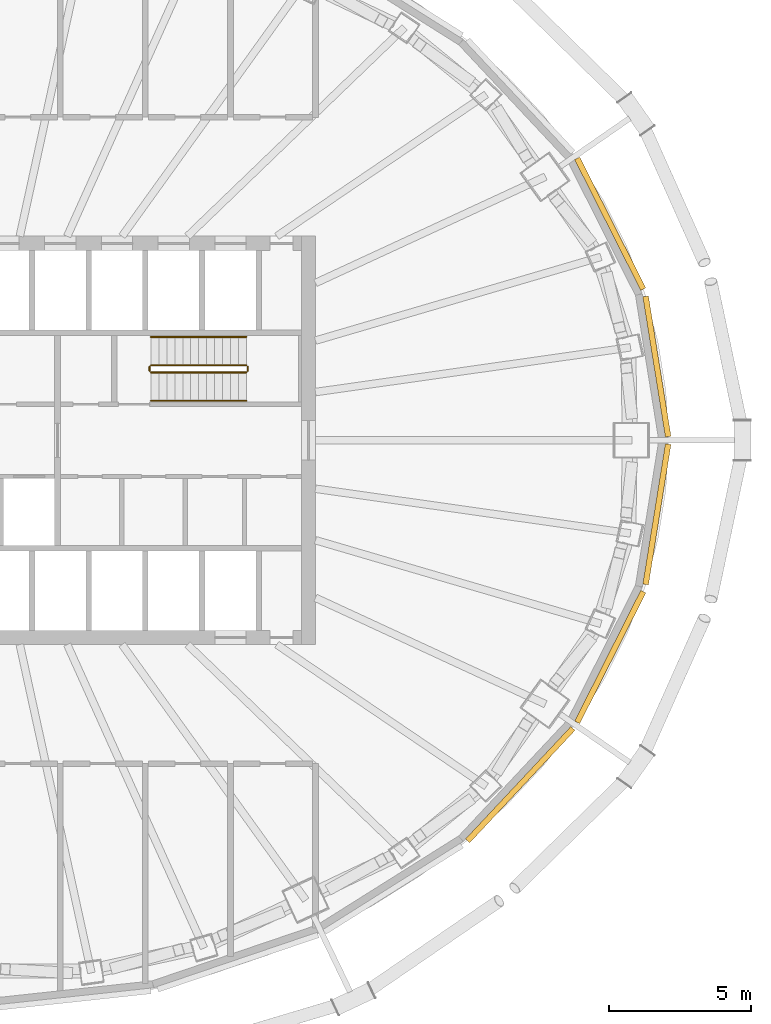
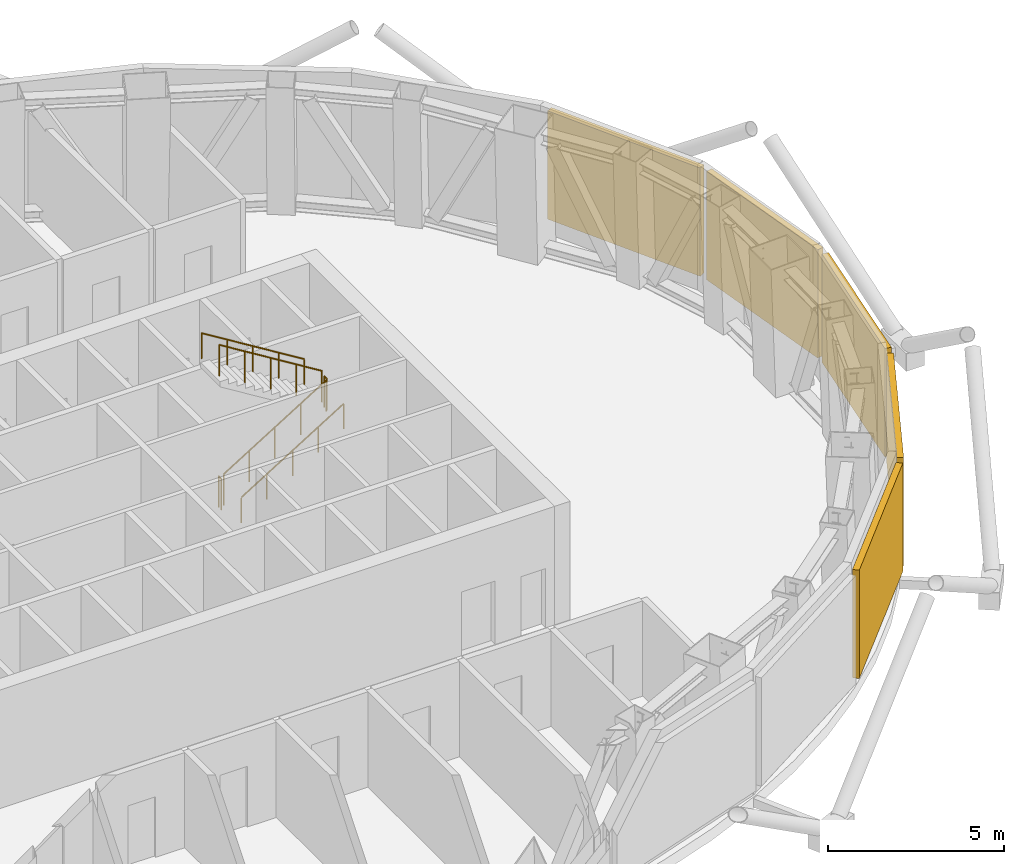
# One storey, part 15 of 16: 6 railings, 5 shading devices.
"""IFC4 building model written with IfcOpenShell, lengths in metres."""

from ifc_helpers import new_model, si_unit, direction, frame, origin, origin_2d, place, context, subcontext, project, spatial, rectangle, circle, extrude, material, layer, layer_set, type_object, element, save


model = new_model("IFC4")

# Units and contexts
model_context = context("Model", 3, precision=1e-05, world=origin(), true_north=direction((0.0, 1.0)))
body_context = subcontext(model_context, "Body", "Model", "MODEL_VIEW")
ifc_project = project(units=[si_unit("LENGTHUNIT", "METRE"), si_unit("AREAUNIT", "SQUARE_METRE"), si_unit("VOLUMEUNIT", "CUBIC_METRE"), si_unit("PLANEANGLEUNIT", "RADIAN"), si_unit("MASSUNIT", "GRAM", prefix="KILO")], contexts=[model_context])

# Site, building, storey
site_placement = place(None, origin())
site = spatial("IfcSite", under=ifc_project, at=site_placement, CompositionType="ELEMENT")
building_placement = place(site_placement, origin())
building = spatial("IfcBuilding", under=site, at=building_placement, Name="Siaravel Broadcast Tower", CompositionType="ELEMENT")
storey_placement = place(building_placement, frame((0.0, 0.0, 152.60009765625)))
storey = spatial("IfcBuildingStorey", under=building, at=storey_placement, Name="L36", CompositionType="ELEMENT", Elevation=152.60009765625)

# Shading devices
ifc_material_1 = material(Name="Bronze anodised aluminium", Category="aluminium")
ifc_layer = layer(ifc_material_1, 0.199951171875)
ifc_layer_set = layer_set([ifc_layer], Name="Bronze anodised aluminium")
shading_device_type = type_object("IfcShadingDeviceType", Name="Plant louvre bank", PredefinedType="USERDEFINED", material=ifc_layer_set)
shading_device_1_placement = place(storey_placement, frame((24.039794921875, 2.606689453125, 0.2998046875), z_axis=(0.0, 0.0, 1.0), x_axis=(-0.158685394, 0.987329198, 0.0)))
element("IfcShadingDevice", 1, at=shading_device_1_placement, inside=storey, type_object=shading_device_type, Name="L36 plant louvre bank 01", ObjectType="LOUVRE", PredefinedType="USERDEFINED", context=body_context, shape_type="SweptSolid", body=[
    extrude(rectangle(XDim=5.00830078125, YDim=0.199951171875, at=origin_2d()), origin(), (0.0, 0.0, 1.0), 3.75),
])
shading_device_2_placement = place(storey_placement, frame((22.39404296875, 7.63818359375, 0.2998046875), z_axis=(0.0, 0.0, 1.0), x_axis=(-0.451260732, 0.892392151, 0.0)))
element("IfcShadingDevice", 2, at=shading_device_2_placement, inside=storey, type_object=shading_device_type, Name="L36 plant louvre bank 02", ObjectType="LOUVRE", PredefinedType="USERDEFINED", context=body_context, shape_type="SweptSolid", body=[
    extrude(rectangle(XDim=5.168212890625, YDim=0.199951171875, at=origin_2d()), origin(), (0.0, 0.0, 1.0), 3.75),
])
shading_device_3_placement = place(storey_placement, frame((19.220458984375, -12.1416015625, 0.2998046875), z_axis=(0.0, 0.0, 1.0), x_axis=(0.683654718, 0.729805608, 0.0)))
element("IfcShadingDevice", 3, at=shading_device_3_placement, inside=storey, type_object=shading_device_type, Name="L36 plant louvre bank 22", ObjectType="LOUVRE", PredefinedType="USERDEFINED", context=body_context, shape_type="SweptSolid", body=[
    extrude(rectangle(XDim=5.434814453125, YDim=0.199951171875, at=origin_2d()), origin(), (0.0, 0.0, 1.0), 3.75),
])
shading_device_4_placement = place(storey_placement, frame((22.39404296875, -7.63818359375, 0.2998046875), z_axis=(0.0, 0.0, 1.0), x_axis=(0.451260732, 0.892392151, 0.0)))
element("IfcShadingDevice", 4, at=shading_device_4_placement, inside=storey, type_object=shading_device_type, Name="L36 plant louvre bank 23", ObjectType="LOUVRE", PredefinedType="USERDEFINED", context=body_context, shape_type="SweptSolid", body=[
    extrude(rectangle(XDim=5.168212890625, YDim=0.199951171875, at=origin_2d()), origin(), (0.0, 0.0, 1.0), 3.75),
])
shading_device_5_placement = place(storey_placement, frame((24.039794921875, -2.606689453125, 0.2998046875), z_axis=(0.0, 0.0, 1.0), x_axis=(0.158685394, 0.987329198, 0.0)))
element("IfcShadingDevice", 5, at=shading_device_5_placement, inside=storey, type_object=shading_device_type, Name="L36 plant louvre bank 24", ObjectType="LOUVRE", PredefinedType="USERDEFINED", context=body_context, shape_type="SweptSolid", body=[
    extrude(rectangle(XDim=5.00830078125, YDim=0.199951171875, at=origin_2d()), origin(), (0.0, 0.0, 1.0), 3.75),
])

# Railings
ifc_material_2 = material(Name="Stainless steel 316L", Category="steel")
railing_type_1 = type_object("IfcRailingType", Name="Stair guard 1100", PredefinedType="GUARDRAIL", material=ifc_material_2)
railing_1_placement = place(storey_placement, frame((6.199951171875, 2.39990234375, 0.173095703125)))
element("IfcRailing", 6, at=railing_1_placement, inside=storey, type_object=railing_type_1, Name="L36 ST-2 stair guard 1", PredefinedType="GUARDRAIL", context=body_context, shape_type="SweptSolid", body=[
    extrude(circle(Radius=0.02392578125, at=origin_2d()), frame((0.0, 0.0, 1.076171875), z_axis=(0.850623217, 0.0, 0.525775754), x_axis=(0.0, 1.0, 0.0)), (0.0, 0.0, 1.0), 3.9501953125),
    extrude(circle(Radius=0.02099609375, at=origin_2d()), origin(), (0.0, 0.0, 1.0), 1.052001953125),
    extrude(circle(Radius=0.02099609375, at=origin_2d()), frame((0.840087890625, 0.0, 0.519287109375)), (0.0, 0.0, 1.0), 1.052001953125),
    extrude(circle(Radius=0.02099609375, at=origin_2d()), frame((1.68017578125, 0.0, 1.03857421875)), (0.0, 0.0, 1.0), 1.052001953125),
    extrude(circle(Radius=0.02099609375, at=origin_2d()), frame((2.52001953125, 0.0, 1.5576171875)), (0.0, 0.0, 1.0), 1.052001953125),
    extrude(circle(Radius=0.02099609375, at=origin_2d()), frame((3.360107421875, 0.0, 2.076904296875)), (0.0, 0.0, 1.0), 1.052001953125),
])
railing_2_placement = place(storey_placement, frame((9.610107421875, 2.449951171875, 2.25)))
element("IfcRailing", 7, at=railing_2_placement, inside=storey, type_object=railing_type_1, Name="L36 ST-2 stair guard 2", PredefinedType="GUARDRAIL", context=body_context, shape_type="SweptSolid", body=[
    extrude(circle(Radius=0.02392578125, at=origin_2d()), frame((0.0, 0.0, 1.076171875), z_axis=(0.0, 1.0, 0.0), x_axis=(-1.0, 0.0, 0.0)), (0.0, 0.0, 1.0), 0.150146484375),
    extrude(circle(Radius=0.02099609375, at=origin_2d()), origin(), (0.0, 0.0, 1.0), 1.052001953125),
    extrude(circle(Radius=0.02099609375, at=origin_2d()), frame((0.0, 0.150146484375, 0.0)), (0.0, 0.0, 1.0), 1.052001953125),
])
railing_3_placement = place(storey_placement, frame((9.56005859375, 2.64990234375, 2.423095703125)))
element("IfcRailing", 8, at=railing_3_placement, inside=storey, type_object=railing_type_1, Name="L36 ST-2 stair guard 3", PredefinedType="GUARDRAIL", context=body_context, shape_type="SweptSolid", body=[
    extrude(circle(Radius=0.02392578125, at=origin_2d()), frame((0.0, 0.0, 1.076171875), z_axis=(-0.850623217, 0.0, 0.525775754), x_axis=(0.0, -1.0, 0.0)), (0.0, 0.0, 1.0), 3.9501953125),
    extrude(circle(Radius=0.02099609375, at=origin_2d()), origin(), (0.0, 0.0, 1.0), 1.052001953125),
    extrude(circle(Radius=0.02099609375, at=origin_2d()), frame((-0.840087890625, 0.0, 0.519287109375)), (0.0, 0.0, 1.0), 1.052001953125),
    extrude(circle(Radius=0.02099609375, at=origin_2d()), frame((-1.68017578125, 0.0, 1.03857421875)), (0.0, 0.0, 1.0), 1.052001953125),
    extrude(circle(Radius=0.02099609375, at=origin_2d()), frame((-2.52001953125, 0.0, 1.5576171875)), (0.0, 0.0, 1.0), 1.052001953125),
    extrude(circle(Radius=0.02099609375, at=origin_2d()), frame((-3.360107421875, 0.0, 2.076904296875)), (0.0, 0.0, 1.0), 1.052001953125),
])
railing_4_placement = place(storey_placement, frame((6.14990234375, 2.449951171875, 0.0)))
element("IfcRailing", 9, at=railing_4_placement, inside=storey, type_object=railing_type_1, Name="L36 ST-2 stair guard 4", PredefinedType="GUARDRAIL", context=body_context, shape_type="SweptSolid", body=[
    extrude(circle(Radius=0.02392578125, at=origin_2d()), frame((0.0, 0.0, 1.076171875), z_axis=(0.0, 1.0, 0.0), x_axis=(-1.0, 0.0, 0.0)), (0.0, 0.0, 1.0), 0.150146484375),
    extrude(circle(Radius=0.02099609375, at=origin_2d()), origin(), (0.0, 0.0, 1.0), 1.052001953125),
    extrude(circle(Radius=0.02099609375, at=origin_2d()), frame((0.0, 0.150146484375, 0.0)), (0.0, 0.0, 1.0), 1.052001953125),
])
railing_type_2 = type_object("IfcRailingType", Name="Stair handrail 900", PredefinedType="HANDRAIL", material=ifc_material_2)
railing_5_placement = place(storey_placement, frame((6.199951171875, 1.39990234375, 0.173095703125)))
element("IfcRailing", 10, at=railing_5_placement, inside=storey, type_object=railing_type_2, Name="L36 ST-2 stair handrail 1", PredefinedType="HANDRAIL", context=body_context, shape_type="SweptSolid", body=[
    extrude(circle(Radius=0.02392578125, at=origin_2d()), frame((0.0, 0.0, 0.8759765625), z_axis=(0.850623217, 0.0, 0.525775754), x_axis=(0.0, 1.0, 0.0)), (0.0, 0.0, 1.0), 3.9501953125),
    extrude(circle(Radius=0.02099609375, at=origin_2d()), origin(), (0.0, 0.0, 1.0), 0.851806640625),
    extrude(circle(Radius=0.02099609375, at=origin_2d()), frame((0.840087890625, 0.0, 0.519287109375)), (0.0, 0.0, 1.0), 0.851806640625),
    extrude(circle(Radius=0.02099609375, at=origin_2d()), frame((1.68017578125, 0.0, 1.03857421875)), (0.0, 0.0, 1.0), 0.851806640625),
    extrude(circle(Radius=0.02099609375, at=origin_2d()), frame((2.52001953125, 0.0, 1.5576171875)), (0.0, 0.0, 1.0), 0.851806640625),
    extrude(circle(Radius=0.02099609375, at=origin_2d()), frame((3.360107421875, 0.0, 2.076904296875)), (0.0, 0.0, 1.0), 0.851806640625),
])
railing_6_placement = place(storey_placement, frame((9.56005859375, 3.64990234375, 2.423095703125)))
element("IfcRailing", 11, at=railing_6_placement, inside=storey, type_object=railing_type_2, Name="L36 ST-2 stair handrail 2", PredefinedType="HANDRAIL", context=body_context, shape_type="SweptSolid", body=[
    extrude(circle(Radius=0.02392578125, at=origin_2d()), frame((0.0, 0.0, 0.8759765625), z_axis=(-0.850623217, 0.0, 0.525775754), x_axis=(0.0, -1.0, 0.0)), (0.0, 0.0, 1.0), 3.9501953125),
    extrude(circle(Radius=0.02099609375, at=origin_2d()), origin(), (0.0, 0.0, 1.0), 0.851806640625),
    extrude(circle(Radius=0.02099609375, at=origin_2d()), frame((-0.840087890625, 0.0, 0.519287109375)), (0.0, 0.0, 1.0), 0.851806640625),
    extrude(circle(Radius=0.02099609375, at=origin_2d()), frame((-1.68017578125, 0.0, 1.03857421875)), (0.0, 0.0, 1.0), 0.851806640625),
    extrude(circle(Radius=0.02099609375, at=origin_2d()), frame((-2.52001953125, 0.0, 1.5576171875)), (0.0, 0.0, 1.0), 0.851806640625),
    extrude(circle(Radius=0.02099609375, at=origin_2d()), frame((-3.360107421875, 0.0, 2.076904296875)), (0.0, 0.0, 1.0), 0.851806640625),
])

save(model, "model.ifc")
